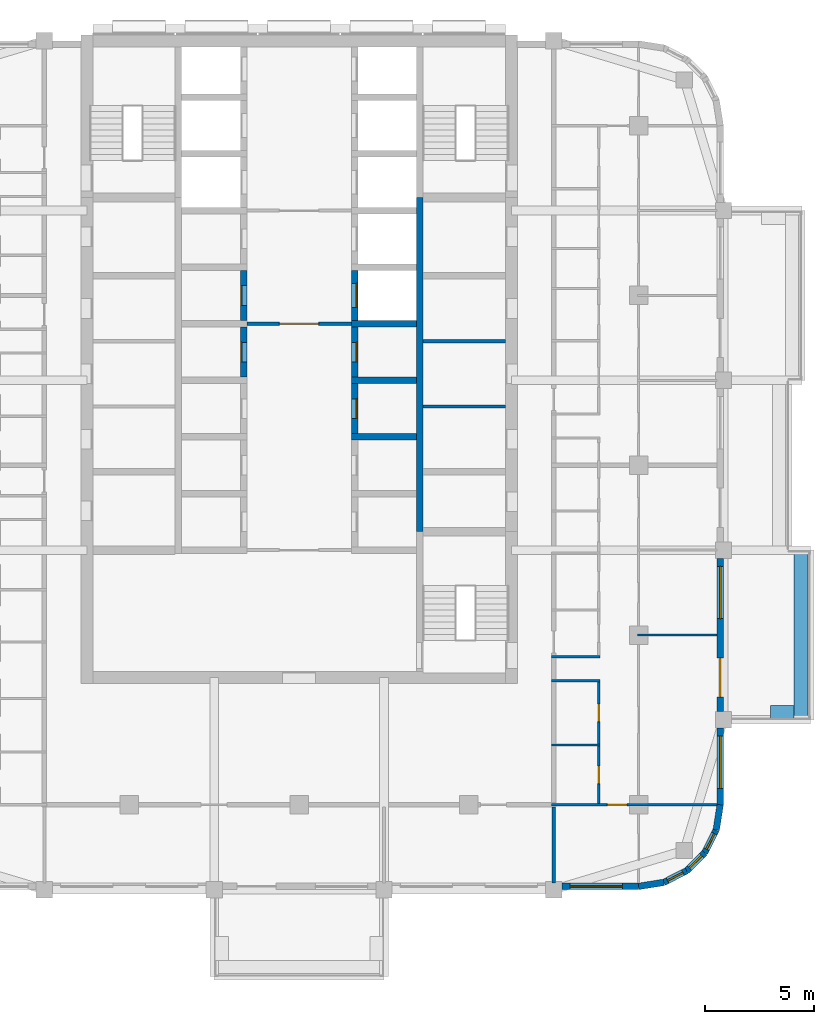
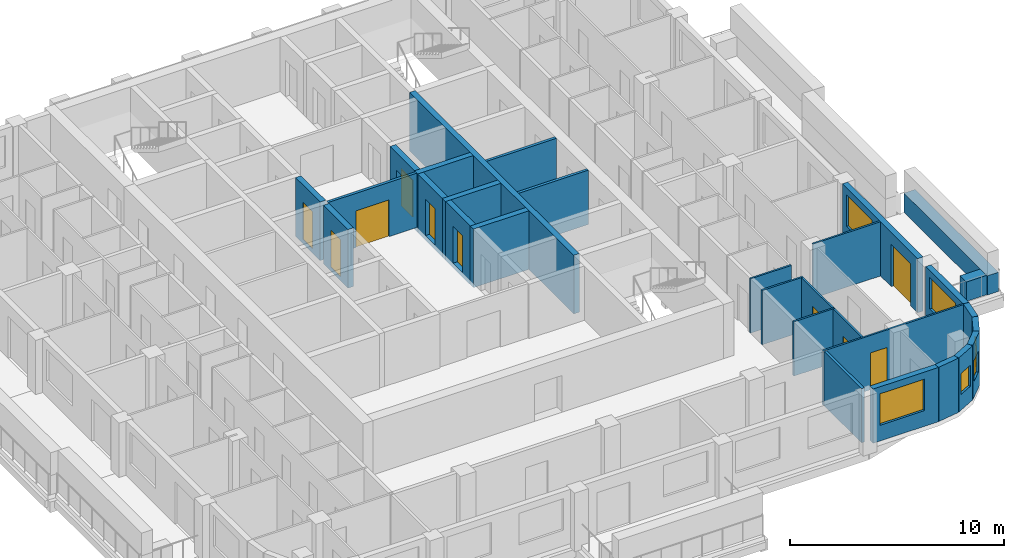
# One storey, part 5 of 13: 29 walls, 10 doors, 6 windows, 16 openings.
"""IFC4 building model written with IfcOpenShell, lengths in metres."""

import ifcopenshell
import ifcopenshell.guid

model = None  # the IFC model being written
_history = None  # IfcOwnerHistory: only IFC2X3 demands one
_inside = {}  # id of a spatial element -> (the spatial element, [elements in it])
_under = {}  # id of a project, library or spatial element -> (it, [spatial elements below it])
_declared = {}  # id of a project -> (the project, [libraries it declares])
_typed = {}  # id of a type object -> (the type object, [elements of that type])
_made_of = {}  # id of a material, layer set ... -> (it, [elements and type objects made of it])


def new_model(schema):
    """Start an empty IFC model of exactly this schema.

    Asked for "IFC4X3", IfcOpenShell would pick the latest addendum, in which some entities
    have other attributes; the version numbers below select the first issue.
    IFC2X3 requires an IfcOwnerHistory on every rooted entity: one is made here for all.
    """
    global model, _history
    if schema == "IFC4X3":
        model = ifcopenshell.file(schema_version=(4, 3, 0, 0))
    else:
        model = ifcopenshell.file(schema=schema)
    _inside.clear()
    _under.clear()
    _declared.clear()
    _typed.clear()
    _made_of.clear()
    _history = None
    if model.schema == "IFC2X3":
        org = make("IfcOrganization", Name="unknown")
        user = make(
            "IfcPersonAndOrganization",
            ThePerson=make("IfcPerson", FamilyName="unknown"),
            TheOrganization=org,
        )
        app = make(
            "IfcApplication",
            ApplicationDeveloper=org,
            Version="unknown",
            ApplicationFullName="unknown",
            ApplicationIdentifier="unknown",
        )
        _history = make(
            "IfcOwnerHistory",
            OwningUser=user,
            OwningApplication=app,
            ChangeAction="ADDED",
            CreationDate=0,
        )
    return model


def make(cls, **values):
    """One entity of the class cls with the attributes given. An attribute that is None is left unset."""
    return model.create_entity(
        cls, **{name: value for name, value in values.items() if value is not None}
    )


def rooted(cls, **values):
    """An entity with a GlobalId (a new one), such as an element, a storey or a relation."""
    return make(cls, GlobalId=ifcopenshell.guid.new(), OwnerHistory=_history, **values)


def si_unit(unit_type, name, prefix=None):
    """IfcSIUnit, for example si_unit("LENGTHUNIT", "METRE", prefix="MILLI")."""
    return make("IfcSIUnit", UnitType=unit_type, Prefix=prefix, Name=name)


def assignment(units):
    """IfcUnitAssignment: the units of a project."""
    return None if units is None else make("IfcUnitAssignment", Units=units)


def point(xyz):
    """IfcCartesianPoint."""
    return None if xyz is None else make("IfcCartesianPoint", Coordinates=xyz)


def direction(xyz):
    """IfcDirection."""
    return None if xyz is None else make("IfcDirection", DirectionRatios=xyz)


def frame(location, z_axis=None, x_axis=None):
    """IfcAxis2Placement3D, a coordinate frame: its origin and axes. An axis left out is left unset."""
    return make(
        "IfcAxis2Placement3D",
        Location=point(location),
        Axis=direction(z_axis),
        RefDirection=direction(x_axis),
    )


def frame_2d(location, x_axis=None):
    """IfcAxis2Placement2D, a coordinate frame in the plane: its origin and x axis."""
    return make(
        "IfcAxis2Placement2D", Location=point(location), RefDirection=direction(x_axis)
    )


def origin():
    """The frame at (0, 0, 0) with its axes left unset."""
    return frame((0.0, 0.0, 0.0))


def place(relative_to, where):
    """IfcLocalPlacement: puts the frame where relative to a parent placement (None: the world)."""
    return make(
        "IfcLocalPlacement", PlacementRelTo=relative_to, RelativePlacement=where
    )


def context(
    kind, dimensions, precision=None, world=None, true_north=None, identifier=None
):
    """IfcGeometricRepresentationContext, for example the 3D "Model" context."""
    return make(
        "IfcGeometricRepresentationContext",
        ContextIdentifier=identifier,
        ContextType=kind,
        CoordinateSpaceDimension=dimensions,
        Precision=precision,
        WorldCoordinateSystem=world,
        TrueNorth=true_north,
    )


def subcontext(parent, identifier, kind, view, scale=None):
    """IfcGeometricRepresentationSubContext, for example "Body" below "Model"."""
    return make(
        "IfcGeometricRepresentationSubContext",
        ContextIdentifier=identifier,
        ContextType=kind,
        ParentContext=parent,
        TargetScale=scale,
        TargetView=view,
    )


def project(units=None, contexts=None):
    """IfcProject with its units and contexts."""
    return rooted(
        "IfcProject",
        Name="project",
        RepresentationContexts=contexts,
        UnitsInContext=assignment(units),
    )


def spatial(cls, under=None, at=None, **own):
    """A site, building, storey or space (cls), placed at a placement, below another one or the project."""
    s = rooted(cls, ObjectPlacement=at, **own)
    if under is not None:
        _under.setdefault(under.id(), (under, []))[1].append(s)
    return s


def profile(cls, at=None, kind="AREA", **sizes):
    """A parametric profile (cls). Its sizes go by their IFC names, for example OverallWidth=200.0."""
    return make(cls, ProfileType=kind, Position=at, **sizes)


def rectangle(**sizes):
    """IfcRectangleProfileDef."""
    return profile("IfcRectangleProfileDef", **sizes)


def extrude(swept, where, along, depth):
    """IfcExtrudedAreaSolid: the profile swept, set in the frame where, extruded along a direction by depth."""
    return make(
        "IfcExtrudedAreaSolid",
        SweptArea=swept,
        Position=where,
        ExtrudedDirection=direction(along),
        Depth=depth,
    )


def shape(context_of_items, identifier, shape_type, items):
    """IfcShapeRepresentation: the items that make up one representation, for example the "Body"."""
    return make(
        "IfcShapeRepresentation",
        ContextOfItems=context_of_items,
        RepresentationIdentifier=identifier,
        RepresentationType=shape_type,
        Items=items,
    )


def material(Name=None, Category=None):
    """IfcMaterial."""
    return make("IfcMaterial", Name=Name, Category=Category)


def layer(
    of_material, thickness, ventilated=None, Name=None, Category=None, Priority=None
):
    """IfcMaterialLayer: one layer of a wall or slab, of a material (None: an air gap)."""
    return make(
        "IfcMaterialLayer",
        Material=of_material,
        LayerThickness=thickness,
        IsVentilated=ventilated,
        Name=Name,
        Category=Category,
        Priority=Priority,
    )


def layer_set(layers, Name=None):
    """IfcMaterialLayerSet."""
    return make("IfcMaterialLayerSet", MaterialLayers=layers, LayerSetName=Name)


def made_of(thing, what):
    """Note that an element or type object is made of a material, layer set ...; save() writes the relation."""
    if what is not None:
        _made_of.setdefault(what.id(), (what, []))[1].append(thing)
    return thing


def type_object(cls, material=None, **own):
    """A type object (cls), such as IfcWallType, which elements share."""
    return made_of(rooted(cls, **own), material)


def element(
    cls,
    number,
    at=None,
    inside=None,
    cuts=None,
    type_object=None,
    material=None,
    context=None,
    identifier="Body",
    shape_type=None,
    held_by="IfcProductDefinitionShape",
    body=None,
    shapes=None,
    **own,
):
    """One element of the class cls, such as IfcWall. Its Tag is "e" and its number.

    at: its placement. inside: the storey or other place that contains it. cuts: it is an
    opening in that element (IfcRelVoidsElement). A single representation is given by context,
    identifier, shape_type and body (its items); several are given by shapes. held_by: the class
    of the entity that holds the representations. save() writes the other relations.
    """
    e = rooted(cls, Tag="e%d" % number, ObjectPlacement=at, **own)
    if body is not None:
        shapes = [shape(context, identifier, shape_type, body)]
    if shapes is not None:
        e.Representation = make(held_by, Representations=shapes)
    if inside is not None:
        _inside.setdefault(inside.id(), (inside, []))[1].append(e)
    if cuts is not None:
        rooted(
            "IfcRelVoidsElement", RelatingBuildingElement=cuts, RelatedOpeningElement=e
        )
    if type_object is not None:
        _typed.setdefault(type_object.id(), (type_object, []))[1].append(e)
    return made_of(e, material)


def fill(opening, filler):
    """IfcRelFillsElement: the door or window that sits in an opening."""
    return rooted(
        "IfcRelFillsElement",
        RelatingOpeningElement=opening,
        RelatedBuildingElement=filler,
    )


def aggregate(whole, parts):
    """IfcRelAggregates: a whole, such as a stair, and the parts it consists of."""
    return rooted("IfcRelAggregates", RelatingObject=whole, RelatedObjects=parts)


def save(model, path):
    """Write the relations noted so far, then the file.

    IfcRelAggregates (storeys below a building ...), IfcRelContainedInSpatialStructure (elements
    in a storey), IfcRelDefinesByType, IfcRelAssociatesMaterial and IfcRelDeclares: one each for
    every whole, place, type object, material and project.
    """
    for whole, parts in _under.values():
        aggregate(whole, parts)
    for where, things in _inside.values():
        rooted(
            "IfcRelContainedInSpatialStructure",
            RelatedElements=things,
            RelatingStructure=where,
        )
    for kind, things in _typed.values():
        rooted("IfcRelDefinesByType", RelatedObjects=things, RelatingType=kind)
    for what, things in _made_of.values():
        rooted("IfcRelAssociatesMaterial", RelatedObjects=things, RelatingMaterial=what)
    for by, libraries in _declared.values():
        rooted("IfcRelDeclares", RelatingContext=by, RelatedDefinitions=libraries)
    model.write(path)


model = new_model("IFC4")

# Units and contexts
model_context = context("Model", 3, precision=1e-05, world=origin(), true_north=direction((0.0, 1.0)))
body_context = subcontext(model_context, "Body", "Model", "MODEL_VIEW")
ifc_project = project(units=[si_unit("LENGTHUNIT", "METRE"), si_unit("AREAUNIT", "SQUARE_METRE"), si_unit("VOLUMEUNIT", "CUBIC_METRE"), si_unit("PLANEANGLEUNIT", "RADIAN"), si_unit("MASSUNIT", "GRAM", prefix="KILO")], contexts=[model_context])

# Site, building, storey
site_placement = place(None, origin())
site = spatial("IfcSite", under=ifc_project, at=site_placement, CompositionType="ELEMENT")
building_placement = place(site_placement, origin())
building = spatial("IfcBuilding", under=site, at=building_placement, Name="Ludao Terraces", CompositionType="ELEMENT")
storey_placement = place(building_placement, frame((0.0, 0.0, 169.0)))
storey = spatial("IfcBuildingStorey", under=building, at=storey_placement, Name="L46", CompositionType="ELEMENT", Elevation=169.0)

# Walls
ifc_material_1 = material(Name="Concrete C40", Category="concrete")
ifc_layer_1 = layer(ifc_material_1, 0.60009765625)
ifc_layer_set_1 = layer_set([ifc_layer_1], Name="ENV Planter trough 600")
wall_type_1 = type_object("IfcWallType", Name="ENV Planter trough 600", PredefinedType="USERDEFINED", material=ifc_layer_set_1)
wall_1_placement = place(storey_placement, frame((108.050048828125, 53.300048828125, 0.0), z_axis=(0.0, 0.0, 1.0), x_axis=(0.0, 1.0, 0.0)))
element("IfcWall", 1, at=wall_1_placement, inside=storey, type_object=wall_type_1, Name="PL-L46-E1", ObjectType="PLANTER", PredefinedType="USERDEFINED", context=body_context, shape_type="SweptSolid", body=[
    extrude(rectangle(XDim=7.800048828125, YDim=0.60009765625, at=frame_2d((3.89990234375, 0.0))), origin(), (0.0, 0.0, 1.0), 1.10009765625),
])
wall_2_placement = place(storey_placement, frame((107.75, 53.64990234375, 0.0), z_axis=(0.0, 0.0, 1.0), x_axis=(-1.0, 0.0, 0.0)))
element("IfcWall", 2, at=wall_2_placement, inside=storey, type_object=wall_type_1, Name="PL-L46-E1-SA", ObjectType="PLANTER", PredefinedType="USERDEFINED", context=body_context, shape_type="SweptSolid", body=[
    extrude(rectangle(XDim=1.10009765625, YDim=0.60009765625, at=frame_2d((0.550048828125, 0.0))), origin(), (0.0, 0.0, 1.0), 1.10009765625),
])

# Wall, opening, window
ifc_material_2 = material(Name="Granite cladding", Category="masonry")
ifc_layer_2 = layer(ifc_material_2, 0.0400390625, Category="stone")
ifc_material_3 = material(Name="Mineral wool")
ifc_layer_3 = layer(ifc_material_3, 0.06005859375)
ifc_layer_4 = layer(ifc_material_1, 0.199951171875, Category="concrete")
ifc_layer_set_2 = layer_set([ifc_layer_2, ifc_layer_3, ifc_layer_4], Name="ENV Stone-clad wall 300")
wall_type_2 = type_object("IfcWallType", Name="ENV Stone-clad wall 300", PredefinedType="SOLIDWALL", material=ifc_layer_set_2)
wall_3_placement = place(storey_placement, frame((97.074951171875, 45.64990234375, 0.0), z_axis=(0.0, 0.0, 1.0), x_axis=(1.0, 0.0, 0.0)))
wall_3 = element("IfcWall", 3, at=wall_3_placement, inside=storey, type_object=wall_type_2, Name="EW-L46-S5", PredefinedType="SOLIDWALL", context=body_context, shape_type="SweptSolid", body=[
    extrude(rectangle(XDim=3.525146484375, YDim=0.300048828125, at=frame_2d((1.7626953125, 0.0))), origin(), (0.0, 0.0, 1.0), 3.10009765625),
])
opening_1_placement = place(wall_3_placement, frame((0.375, 0.0, 0.89990234375)))
opening_1 = element("IfcOpeningElement", 4, at=opening_1_placement, cuts=wall_3, Name="Opening W1", PredefinedType="OPENING", context=body_context, shape_type="SweptSolid", body=[
    extrude(rectangle(XDim=2.39990234375, YDim=1.800048828125, at=frame_2d((1.199951171875, 0.89990234375))), frame((0.0, 0.16015625, 0.0), z_axis=(0.0, -1.0, 0.0), x_axis=(1.0, 0.0, 0.0)), (0.0, 0.0, 1.0), 0.320068359375),
])
ifc_material_4 = material(Name="Clear glass in aluminium frame", Category="aluminium")
ifc_layer_5 = layer(ifc_material_4, 0.06005859375)
ifc_layer_set_3 = layer_set([ifc_layer_5], Name="ENV Window W1 2400x1800")
window_type_1 = type_object("IfcWindowType", Name="ENV Window W1 2400x1800", PartitioningType="DOUBLE_PANEL_VERTICAL", PredefinedType="WINDOW", material=ifc_layer_set_3)
window_1_placement = place(opening_1_placement, origin())
window_1 = element("IfcWindow", 5, at=window_1_placement, inside=storey, type_object=window_type_1, Name="W-L46-S5-1", OverallHeight=1.800048828125, OverallWidth=2.39990234375, PartitioningType="DOUBLE_PANEL_VERTICAL", PredefinedType="WINDOW", context=body_context, shape_type="SweptSolid", body=[
    extrude(rectangle(XDim=2.39990234375, YDim=1.800048828125, at=frame_2d((1.199951171875, 0.89990234375))), frame((0.0, 0.030029296875, 0.0), z_axis=(0.0, -1.0, 0.0), x_axis=(1.0, 0.0, 0.0)), (0.0, 0.0, 1.0), 0.06005859375),
])
fill(opening_1, window_1)

wall_4_placement = place(storey_placement, frame((104.35009765625, 49.39990234375, 0.0), z_axis=(0.0, 0.0, 1.0), x_axis=(0.0, 1.0, 0.0)))
wall_4 = element("IfcWall", 6, at=wall_4_placement, inside=storey, type_object=wall_type_2, Name="EW-L46-E1", PredefinedType="SOLIDWALL", context=body_context, shape_type="SweptSolid", body=[
    extrude(rectangle(XDim=3.525146484375, YDim=0.300048828125, at=frame_2d((1.7626953125, 0.0))), origin(), (0.0, 0.0, 1.0), 3.10009765625),
])
opening_2_placement = place(wall_4_placement, frame((0.75, 0.0, 0.89990234375)))
opening_2 = element("IfcOpeningElement", 7, at=opening_2_placement, cuts=wall_4, Name="Opening W1", PredefinedType="OPENING", context=body_context, shape_type="SweptSolid", body=[
    extrude(rectangle(XDim=2.39990234375, YDim=1.800048828125, at=frame_2d((1.199951171875, 0.89990234375))), frame((0.0, 0.16015625, 0.0), z_axis=(0.0, -1.0, 0.0), x_axis=(1.0, 0.0, 0.0)), (0.0, 0.0, 1.0), 0.320068359375),
])
window_2_placement = place(opening_2_placement, origin())
window_2 = element("IfcWindow", 8, at=window_2_placement, inside=storey, type_object=window_type_1, Name="W-L46-E1-1", OverallHeight=1.800048828125, OverallWidth=2.39990234375, PartitioningType="DOUBLE_PANEL_VERTICAL", PredefinedType="WINDOW", context=body_context, shape_type="SweptSolid", body=[
    extrude(rectangle(XDim=2.39990234375, YDim=1.800048828125, at=frame_2d((1.199951171875, 0.89990234375))), frame((0.0, 0.030029296875, 0.0), z_axis=(0.0, -1.0, 0.0), x_axis=(1.0, 0.0, 0.0)), (0.0, 0.0, 1.0), 0.06005859375),
])
fill(opening_2, window_2)

# Wall, openings, door, window
wall_5_placement = place(storey_placement, frame((104.35009765625, 53.675048828125, 0.0), z_axis=(0.0, 0.0, 1.0), x_axis=(0.0, 1.0, 0.0)))
wall_5 = element("IfcWall", 9, at=wall_5_placement, inside=storey, type_object=wall_type_2, Name="EW-L46-E2", PredefinedType="SOLIDWALL", context=body_context, shape_type="SweptSolid", body=[
    extrude(rectangle(XDim=7.050048828125, YDim=0.300048828125, at=frame_2d((3.52490234375, 0.0))), origin(), (0.0, 0.0, 1.0), 3.10009765625),
])
opening_3_placement = place(wall_5_placement, frame((0.675048828125, 0.0, 0.0)))
opening_3 = element("IfcOpeningElement", 10, at=opening_3_placement, cuts=wall_5, Name="Opening BD", PredefinedType="OPENING", context=body_context, shape_type="SweptSolid", body=[
    extrude(rectangle(XDim=1.800048828125, YDim=2.39990234375, at=frame_2d((0.89990234375, 1.199951171875))), frame((0.0, 0.16015625, 0.0), z_axis=(0.0, -1.0, 0.0), x_axis=(1.0, 0.0, 0.0)), (0.0, 0.0, 1.0), 0.320068359375),
])
opening_4_placement = place(wall_5_placement, frame((4.27490234375, 0.0, 0.89990234375)))
opening_4 = element("IfcOpeningElement", 11, at=opening_4_placement, cuts=wall_5, Name="Opening W1", PredefinedType="OPENING", context=body_context, shape_type="SweptSolid", body=[
    extrude(rectangle(XDim=2.39990234375, YDim=1.800048828125, at=frame_2d((1.199951171875, 0.89990234375))), frame((0.0, 0.16015625, 0.0), z_axis=(0.0, -1.0, 0.0), x_axis=(1.0, 0.0, 0.0)), (0.0, 0.0, 1.0), 0.320068359375),
])
ifc_material_5 = material(Name="Aluminium glazed door", Category="aluminium")
ifc_layer_6 = layer(ifc_material_5, 0.06005859375)
ifc_layer_set_4 = layer_set([ifc_layer_6], Name="ENV Balcony door BD 1800x2400")
door_type_1 = type_object("IfcDoorType", Name="ENV Balcony door BD 1800x2400", OperationType="DOUBLE_DOOR_SINGLE_SWING", PredefinedType="DOOR", material=ifc_layer_set_4)
door_1_placement = place(opening_3_placement, origin())
door_1 = element("IfcDoor", 12, at=door_1_placement, inside=storey, type_object=door_type_1, Name="BD-L46-E2-1", OperationType="DOUBLE_DOOR_SINGLE_SWING", OverallHeight=2.39990234375, OverallWidth=1.800048828125, PredefinedType="DOOR", context=body_context, shape_type="SweptSolid", body=[
    extrude(rectangle(XDim=1.800048828125, YDim=2.39990234375, at=frame_2d((0.89990234375, 1.199951171875))), frame((0.0, 0.02490234375, 0.0), z_axis=(0.0, -1.0, 0.0), x_axis=(1.0, 0.0, 0.0)), (0.0, 0.0, 1.0), 0.050048828125),
])
fill(opening_3, door_1)
window_3_placement = place(opening_4_placement, origin())
window_3 = element("IfcWindow", 13, at=window_3_placement, inside=storey, type_object=window_type_1, Name="W-L46-E2-2", OverallHeight=1.800048828125, OverallWidth=2.39990234375, PartitioningType="DOUBLE_PANEL_VERTICAL", PredefinedType="WINDOW", context=body_context, shape_type="SweptSolid", body=[
    extrude(rectangle(XDim=2.39990234375, YDim=1.800048828125, at=frame_2d((1.199951171875, 0.89990234375))), frame((0.0, 0.030029296875, 0.0), z_axis=(0.0, -1.0, 0.0), x_axis=(1.0, 0.0, 0.0)), (0.0, 0.0, 1.0), 0.06005859375),
])
fill(opening_4, window_3)

# Wall
wall_6_placement = place(storey_placement, frame((100.60009765625, 45.64990234375, 0.0), z_axis=(0.0, 0.0, 1.0), x_axis=(0.987678452879, 0.156496880861, 0.0)))
element("IfcWall", 14, at=wall_6_placement, inside=storey, type_object=wall_type_2, Name="EW-L46-SE1", PredefinedType="SOLIDWALL", context=body_context, shape_type="SweptSolid", body=[
    extrude(rectangle(XDim=1.173095703125, YDim=0.300048828125, at=frame_2d((0.58642578125, 0.0))), origin(), (0.0, 0.0, 1.0), 3.10009765625),
])

# Wall, opening, window
wall_7_placement = place(storey_placement, frame((101.7587890625, 45.83349609375, 0.0), z_axis=(0.0, 0.0, 1.0), x_axis=(0.890988677504, 0.454025524128, 0.0)))
wall_7 = element("IfcWall", 15, at=wall_7_placement, inside=storey, type_object=wall_type_2, Name="EW-L46-SE2", PredefinedType="SOLIDWALL", context=body_context, shape_type="SweptSolid", body=[
    extrude(rectangle(XDim=1.17333984375, YDim=0.300048828125, at=frame_2d((0.586669921875, 0.0))), origin(), (0.0, 0.0, 1.0), 3.10009765625),
])
opening_5_placement = place(wall_7_placement, frame((0.1865234375, 0.0, 0.89990234375)))
opening_5 = element("IfcOpeningElement", 16, at=opening_5_placement, cuts=wall_7, Name="Opening W3", PredefinedType="OPENING", context=body_context, shape_type="SweptSolid", body=[
    extrude(rectangle(XDim=0.800048828125, YDim=1.199951171875, at=frame_2d((0.39990234375, 0.60009765625))), frame((0.0, 0.16015625, 0.0), z_axis=(0.0, -1.0, 0.0), x_axis=(1.0, 0.0, 0.0)), (0.0, 0.0, 1.0), 0.320068359375),
])
ifc_layer_7 = layer(ifc_material_4, 0.06005859375)
ifc_layer_set_5 = layer_set([ifc_layer_7], Name="ENV Window W3 800x1200")
window_type_2 = type_object("IfcWindowType", Name="ENV Window W3 800x1200", PartitioningType="SINGLE_PANEL", PredefinedType="WINDOW", material=ifc_layer_set_5)
window_4_placement = place(opening_5_placement, origin())
window_4 = element("IfcWindow", 17, at=window_4_placement, inside=storey, type_object=window_type_2, Name="W-L46-SE2", OverallHeight=1.199951171875, OverallWidth=0.800048828125, PartitioningType="SINGLE_PANEL", PredefinedType="WINDOW", context=body_context, shape_type="SweptSolid", body=[
    extrude(rectangle(XDim=0.800048828125, YDim=1.199951171875, at=frame_2d((0.39990234375, 0.60009765625))), frame((0.0, 0.030029296875, 0.0), z_axis=(0.0, -1.0, 0.0), x_axis=(1.0, 0.0, 0.0)), (0.0, 0.0, 1.0), 0.06005859375),
])
fill(opening_5, window_4)

wall_8_placement = place(storey_placement, frame((102.80419921875, 46.3662109375, 0.0), z_axis=(0.0, 0.0, 1.0), x_axis=(0.707106781187, 0.707106781187, 0.0)))
wall_8 = element("IfcWall", 18, at=wall_8_placement, inside=storey, type_object=wall_type_2, Name="EW-L46-SE3", PredefinedType="SOLIDWALL", context=body_context, shape_type="SweptSolid", body=[
    extrude(rectangle(XDim=1.173095703125, YDim=0.300048828125, at=frame_2d((0.58642578125, 0.0))), origin(), (0.0, 0.0, 1.0), 3.10009765625),
])
opening_6_placement = place(wall_8_placement, frame((0.1865234375, 0.0, 0.89990234375)))
opening_6 = element("IfcOpeningElement", 19, at=opening_6_placement, cuts=wall_8, Name="Opening W3", PredefinedType="OPENING", context=body_context, shape_type="SweptSolid", body=[
    extrude(rectangle(XDim=0.800048828125, YDim=1.199951171875, at=frame_2d((0.39990234375, 0.60009765625))), frame((0.0, 0.16015625, 0.0), z_axis=(0.0, -1.0, 0.0), x_axis=(1.0, 0.0, 0.0)), (0.0, 0.0, 1.0), 0.320068359375),
])
window_5_placement = place(opening_6_placement, origin())
window_5 = element("IfcWindow", 20, at=window_5_placement, inside=storey, type_object=window_type_2, Name="W-L46-SE3", OverallHeight=1.199951171875, OverallWidth=0.800048828125, PartitioningType="SINGLE_PANEL", PredefinedType="WINDOW", context=body_context, shape_type="SweptSolid", body=[
    extrude(rectangle(XDim=0.800048828125, YDim=1.199951171875, at=frame_2d((0.39990234375, 0.60009765625))), frame((0.0, 0.030029296875, 0.0), z_axis=(0.0, -1.0, 0.0), x_axis=(1.0, 0.0, 0.0)), (0.0, 0.0, 1.0), 0.06005859375),
])
fill(opening_6, window_5)

wall_9_placement = place(storey_placement, frame((103.6337890625, 47.19580078125, 0.0), z_axis=(0.0, 0.0, 1.0), x_axis=(0.454025524128, 0.890988677504, 0.0)))
wall_9 = element("IfcWall", 21, at=wall_9_placement, inside=storey, type_object=wall_type_2, Name="EW-L46-SE4", PredefinedType="SOLIDWALL", context=body_context, shape_type="SweptSolid", body=[
    extrude(rectangle(XDim=1.17333984375, YDim=0.300048828125, at=frame_2d((0.586669921875, 0.0))), origin(), (0.0, 0.0, 1.0), 3.10009765625),
])
opening_7_placement = place(wall_9_placement, frame((0.1865234375, 0.0, 0.89990234375)))
opening_7 = element("IfcOpeningElement", 22, at=opening_7_placement, cuts=wall_9, Name="Opening W3", PredefinedType="OPENING", context=body_context, shape_type="SweptSolid", body=[
    extrude(rectangle(XDim=0.800048828125, YDim=1.199951171875, at=frame_2d((0.39990234375, 0.60009765625))), frame((0.0, 0.16015625, 0.0), z_axis=(0.0, -1.0, 0.0), x_axis=(1.0, 0.0, 0.0)), (0.0, 0.0, 1.0), 0.320068359375),
])
window_6_placement = place(opening_7_placement, origin())
window_6 = element("IfcWindow", 23, at=window_6_placement, inside=storey, type_object=window_type_2, Name="W-L46-SE4", OverallHeight=1.199951171875, OverallWidth=0.800048828125, PartitioningType="SINGLE_PANEL", PredefinedType="WINDOW", context=body_context, shape_type="SweptSolid", body=[
    extrude(rectangle(XDim=0.800048828125, YDim=1.199951171875, at=frame_2d((0.39990234375, 0.60009765625))), frame((0.0, 0.030029296875, 0.0), z_axis=(0.0, -1.0, 0.0), x_axis=(1.0, 0.0, 0.0)), (0.0, 0.0, 1.0), 0.06005859375),
])
fill(opening_7, window_6)

# Walls
wall_10_placement = place(storey_placement, frame((104.16650390625, 48.2412109375, 0.0), z_axis=(0.0, 0.0, 1.0), x_axis=(0.156496880861, 0.987678452879, 0.0)))
element("IfcWall", 24, at=wall_10_placement, inside=storey, type_object=wall_type_2, Name="EW-L46-SE5", PredefinedType="SOLIDWALL", context=body_context, shape_type="SweptSolid", body=[
    extrude(rectangle(XDim=1.173095703125, YDim=0.300048828125, at=frame_2d((0.58642578125, 0.0))), origin(), (0.0, 0.0, 1.0), 3.10009765625),
])
ifc_material_6 = material(Name="Fire-rated gypsum plasterboard", Category="gypsum")
ifc_layer_8 = layer(ifc_material_6, 0.012451171875, Category="gypsum")
ifc_layer_9 = layer(ifc_material_3, 0.10009765625, Name="insulation")
ifc_material_7 = material(Name="Steel Q235", Category="steel")
ifc_layer_10 = layer(ifc_material_7, 0.02490234375, Name="stud")
ifc_layer_11 = layer(ifc_material_6, 0.012451171875, Category="gypsum")
ifc_layer_set_6 = layer_set([ifc_layer_8, ifc_layer_9, ifc_layer_10, ifc_layer_11], Name="INT Core partition 150")
wall_type_3 = type_object("IfcWallType", Name="INT Core partition 150", PredefinedType="PARTITIONING", material=ifc_layer_set_6)
for number, where, z_axis, x_axis, name in (
    (25, (90.7001953125, 67.699951171875, 0.0), (0.0, 0.0, 1.0), (1.0, 0.0, 0.0), "PW-L46-PW027"),
    (26, (90.7001953125, 70.699951171875, 0.0), (0.0, 0.0, 1.0), (1.0, 0.0, 0.0), "PW-L46-PW032"),
):
    element("IfcWall", number, at=place(storey_placement, frame(where, z_axis=z_axis, x_axis=x_axis)), inside=storey, type_object=wall_type_3, Name=name, PredefinedType="PARTITIONING", context=body_context, shape_type="SweptSolid", body=[
        extrude(rectangle(XDim=3.77490234375, YDim=0.14990234375, at=frame_2d((1.887451171875, 0.0))), origin(), (0.0, 0.0, 1.0), 3.10009765625),
    ])

# Wall, opening, door
wall_11_placement = place(storey_placement, frame((82.60009765625, 71.5, 0.0), z_axis=(0.0, 0.0, 1.0), x_axis=(1.0, 0.0, 0.0)))
wall_11 = element("IfcWall", 27, at=wall_11_placement, inside=storey, type_object=wall_type_3, Name="PW-L46-PW035", PredefinedType="PARTITIONING", context=body_context, shape_type="SweptSolid", body=[
    extrude(rectangle(XDim=4.800048828125, YDim=0.14990234375, at=frame_2d((2.39990234375, 0.0))), origin(), (0.0, 0.0, 1.0), 3.10009765625),
])
opening_8_placement = place(wall_11_placement, frame((1.5, 0.0, 0.0)))
opening_8 = element("IfcOpeningElement", 28, at=opening_8_placement, cuts=wall_11, Name="Opening R16-055", PredefinedType="OPENING", context=body_context, shape_type="SweptSolid", body=[
    extrude(rectangle(XDim=1.800048828125, YDim=2.10009765625, at=frame_2d((0.89990234375, 1.050048828125))), frame((0.0, 0.0849609375, 0.0), z_axis=(0.0, -1.0, 0.0), x_axis=(1.0, 0.0, 0.0)), (0.0, 0.0, 1.0), 0.169921875),
])
door_type_2 = type_object("IfcDoorType", Name="INT Fire lobby door 1800", OperationType="DOUBLE_DOOR_SINGLE_SWING", PredefinedType="DOOR", material=ifc_material_7)
door_2_placement = place(opening_8_placement, origin())
door_2 = element("IfcDoor", 29, at=door_2_placement, inside=storey, type_object=door_type_2, Name="DOOR 055", OperationType="DOUBLE_DOOR_SINGLE_SWING", OverallHeight=2.10009765625, OverallWidth=1.800048828125, PredefinedType="DOOR", context=body_context, shape_type="SweptSolid", body=[
    extrude(rectangle(XDim=1.800048828125, YDim=2.10009765625, at=frame_2d((0.89990234375, 1.050048828125))), frame((0.0, 0.02490234375, 0.0), z_axis=(0.0, -1.0, 0.0), x_axis=(1.0, 0.0, 0.0)), (0.0, 0.0, 1.0), 0.050048828125),
])
fill(opening_8, door_2)

ifc_material_8 = material(Name="Gypsum plasterboard", Category="gypsum")
ifc_layer_12 = layer(ifc_material_8, 0.012451171875, Category="gypsum")
ifc_layer_13 = layer(ifc_material_3, 0.06005859375, Name="insulation")
ifc_layer_14 = layer(ifc_material_7, 0.014892578125, Name="stud")
ifc_layer_15 = layer(ifc_material_8, 0.012451171875, Category="gypsum")
ifc_layer_set_7 = layer_set([ifc_layer_12, ifc_layer_13, ifc_layer_14, ifc_layer_15], Name="INT Partition 100")
wall_type_4 = type_object("IfcWallType", Name="INT Partition 100", PredefinedType="PARTITIONING", material=ifc_layer_set_7)
wall_12_placement = place(storey_placement, frame((96.60009765625, 49.39990234375, 0.0), z_axis=(0.0, 0.0, 1.0), x_axis=(1.0, 0.0, 0.0)))
wall_12 = element("IfcWall", 30, at=wall_12_placement, inside=storey, type_object=wall_type_4, Name="PW-L46-PW002", PredefinedType="PARTITIONING", context=body_context, shape_type="SweptSolid", body=[
    extrude(rectangle(XDim=7.60009765625, YDim=0.10009765625, at=frame_2d((3.800048828125, 0.0))), origin(), (0.0, 0.0, 1.0), 3.10009765625),
])
opening_9_placement = place(wall_12_placement, frame((2.56005859375, 0.0, 0.0)))
opening_9 = element("IfcOpeningElement", 31, at=opening_9_placement, cuts=wall_12, Name="Opening R16-006", PredefinedType="OPENING", context=body_context, shape_type="SweptSolid", body=[
    extrude(rectangle(XDim=0.89990234375, YDim=2.10009765625, at=frame_2d((0.449951171875, 1.050048828125))), frame((0.0, 0.06005859375, 0.0), z_axis=(0.0, -1.0, 0.0), x_axis=(1.0, 0.0, 0.0)), (0.0, 0.0, 1.0), 0.1201171875),
])
ifc_material_9 = material(Name="Timber door leaf", Category="wood")
door_type_3 = type_object("IfcDoorType", Name="INT Room door 900", OperationType="SINGLE_SWING_LEFT", PredefinedType="DOOR", material=ifc_material_9)
door_3_placement = place(opening_9_placement, origin())
door_3 = element("IfcDoor", 32, at=door_3_placement, inside=storey, type_object=door_type_3, Name="DOOR 006", OperationType="SINGLE_SWING_LEFT", OverallHeight=2.10009765625, OverallWidth=0.89990234375, PredefinedType="DOOR", context=body_context, shape_type="SweptSolid", body=[
    extrude(rectangle(XDim=0.89990234375, YDim=2.10009765625, at=frame_2d((0.449951171875, 1.050048828125))), frame((0.0, 0.02490234375, 0.0), z_axis=(0.0, -1.0, 0.0), x_axis=(1.0, 0.0, 0.0)), (0.0, 0.0, 1.0), 0.050048828125),
])
fill(opening_9, door_3)

# Walls
for number, where, z_axis, x_axis, name in (
    (33, (96.60009765625, 52.14990234375, 0.0), (0.0, 0.0, 1.0), (1.0, 0.0, 0.0), "PW-L46-PW004"),
    (34, (96.60009765625, 55.10009765625, 0.0), (0.0, 0.0, 1.0), (1.0, 0.0, 0.0), "PW-L46-PW007"),
    (35, (96.60009765625, 56.199951171875, 0.0), (0.0, 0.0, 1.0), (1.0, 0.0, 0.0), "PW-L46-PW008"),
):
    element("IfcWall", number, at=place(storey_placement, frame(where, z_axis=z_axis, x_axis=x_axis)), inside=storey, type_object=wall_type_4, Name=name, PredefinedType="PARTITIONING", context=body_context, shape_type="SweptSolid", body=[
        extrude(rectangle(XDim=2.219970703125, YDim=0.10009765625, at=frame_2d((1.10986328125, 0.0))), origin(), (0.0, 0.0, 1.0), 3.10009765625),
    ])
wall_13_placement = place(storey_placement, frame((100.550048828125, 57.199951171875, 0.0), z_axis=(0.0, 0.0, 1.0), x_axis=(1.0, 0.0, 0.0)))
element("IfcWall", 36, at=wall_13_placement, inside=storey, type_object=wall_type_4, Name="PW-L46-PW011", PredefinedType="PARTITIONING", context=body_context, shape_type="SweptSolid", body=[
    extrude(rectangle(XDim=3.650146484375, YDim=0.10009765625, at=frame_2d((1.8251953125, 0.0))), origin(), (0.0, 0.0, 1.0), 3.10009765625),
])

# Wall, openings, doors
wall_14_placement = place(storey_placement, frame((98.77001953125, 49.4501953125, 0.0), z_axis=(0.0, 0.0, 1.0), x_axis=(0.0, 1.0, 0.0)))
wall_14 = element("IfcWall", 37, at=wall_14_placement, inside=storey, type_object=wall_type_4, Name="PW-L46-PW059", PredefinedType="PARTITIONING", context=body_context, shape_type="SweptSolid", body=[
    extrude(rectangle(XDim=5.599853515625, YDim=0.10009765625, at=frame_2d((2.7998046875, 0.0))), origin(), (0.0, 0.0, 1.0), 3.10009765625),
])
opening_10_placement = place(wall_14_placement, frame((0.9248046875, 0.0, 0.0)))
opening_10 = element("IfcOpeningElement", 38, at=opening_10_placement, cuts=wall_14, Name="Opening R16-008", PredefinedType="OPENING", context=body_context, shape_type="SweptSolid", body=[
    extrude(rectangle(XDim=0.800048828125, YDim=2.10009765625, at=frame_2d((0.39990234375, 1.050048828125))), frame((0.0, 0.06005859375, 0.0), z_axis=(0.0, -1.0, 0.0), x_axis=(1.0, 0.0, 0.0)), (0.0, 0.0, 1.0), 0.1201171875),
])
opening_11_placement = place(wall_14_placement, frame((3.77490234375, 0.0, 0.0)))
opening_11 = element("IfcOpeningElement", 39, at=opening_11_placement, cuts=wall_14, Name="Opening R16-012", PredefinedType="OPENING", context=body_context, shape_type="SweptSolid", body=[
    extrude(rectangle(XDim=0.800048828125, YDim=2.10009765625, at=frame_2d((0.39990234375, 1.050048828125))), frame((0.0, 0.06005859375, 0.0), z_axis=(0.0, -1.0, 0.0), x_axis=(1.0, 0.0, 0.0)), (0.0, 0.0, 1.0), 0.1201171875),
])
door_type_4 = type_object("IfcDoorType", Name="INT Store door 800", OperationType="SINGLE_SWING_LEFT", PredefinedType="DOOR", material=ifc_material_9)
door_4_placement = place(opening_10_placement, origin())
door_4 = element("IfcDoor", 40, at=door_4_placement, inside=storey, type_object=door_type_4, Name="DOOR 008", OperationType="SINGLE_SWING_LEFT", OverallHeight=2.10009765625, OverallWidth=0.800048828125, PredefinedType="DOOR", context=body_context, shape_type="SweptSolid", body=[
    extrude(rectangle(XDim=0.800048828125, YDim=2.10009765625, at=frame_2d((0.39990234375, 1.050048828125))), frame((0.0, 0.02490234375, 0.0), z_axis=(0.0, -1.0, 0.0), x_axis=(1.0, 0.0, 0.0)), (0.0, 0.0, 1.0), 0.050048828125),
])
fill(opening_10, door_4)
door_5_placement = place(opening_11_placement, origin())
door_5 = element("IfcDoor", 41, at=door_5_placement, inside=storey, type_object=door_type_4, Name="DOOR 012", OperationType="SINGLE_SWING_LEFT", OverallHeight=2.10009765625, OverallWidth=0.800048828125, PredefinedType="DOOR", context=body_context, shape_type="SweptSolid", body=[
    extrude(rectangle(XDim=0.800048828125, YDim=2.10009765625, at=frame_2d((0.39990234375, 1.050048828125))), frame((0.0, 0.02490234375, 0.0), z_axis=(0.0, -1.0, 0.0), x_axis=(1.0, 0.0, 0.0)), (0.0, 0.0, 1.0), 0.050048828125),
])
fill(opening_11, door_5)

# Walls
ifc_material_10 = material(Name="Autoclaved aerated concrete block B06 A3.5", Category="concrete")
ifc_layer_16 = layer(ifc_material_10, 0.14990234375)
ifc_layer_set_8 = layer_set([ifc_layer_16], Name="INT Party wall 150")
wall_type_5 = type_object("IfcWallType", Name="INT Party wall 150", PredefinedType="PARTITIONING", material=ifc_layer_set_8)
wall_15_placement = place(storey_placement, frame((96.699951171875, 45.800048828125, 0.0), z_axis=(0.0, 0.0, 1.0), x_axis=(0.0, 1.0, 0.0)))
element("IfcWall", 42, at=wall_15_placement, inside=storey, type_object=wall_type_5, Name="PW-L46-PW057", PredefinedType="PARTITIONING", context=body_context, shape_type="SweptSolid", body=[
    extrude(rectangle(XDim=3.5, YDim=0.14990234375, at=frame_2d((1.75, 0.0))), origin(), (0.0, 0.0, 1.0), 3.10009765625),
])
ifc_material_11 = material(Name="Concrete C55", Category="concrete")
ifc_layer_17 = layer(ifc_material_11, 0.300048828125)
ifc_layer_set_9 = layer_set([ifc_layer_17], Name="Shaft wall 300 C55")
wall_type_6 = type_object("IfcWallType", Name="Shaft wall 300 C55", PredefinedType="SOLIDWALL", material=ifc_layer_set_9)
wall_16_placement = place(storey_placement, frame((90.550048828125, 61.949951171875, -0.25), z_axis=(0.0, 0.0, 1.0), x_axis=(0.0, 1.0, 0.0)))
element("IfcWall", 43, at=wall_16_placement, inside=storey, type_object=wall_type_6, Name="Core wall L46 back-E", PredefinedType="SOLIDWALL", context=body_context, shape_type="SweptSolid", body=[
    extrude(rectangle(XDim=15.35009765625, YDim=0.300048828125, at=frame_2d((7.675048828125, 0.0))), origin(), (0.0, 0.0, 1.0), 3.35009765625),
])

# Wall, opening, door
wall_17_placement = place(storey_placement, frame((82.449951171875, 69.050048828125, -0.25), z_axis=(0.0, 0.0, 1.0), x_axis=(0.0, 1.0, 0.0)))
wall_17 = element("IfcWall", 44, at=wall_17_placement, inside=storey, type_object=wall_type_6, Name="Core wall L46 front-W4", PredefinedType="SOLIDWALL", context=body_context, shape_type="SweptSolid", body=[
    extrude(rectangle(XDim=2.300048828125, YDim=0.300048828125, at=frame_2d((1.14990234375, 0.0))), origin(), (0.0, 0.0, 1.0), 3.35009765625),
])
opening_12_placement = place(wall_17_placement, frame((0.699951171875, 0.0, 0.25)))
opening_12 = element("IfcOpeningElement", 45, at=opening_12_placement, cuts=wall_17, Name="Opening R16-051", PredefinedType="OPENING", context=body_context, shape_type="SweptSolid", body=[
    extrude(rectangle(XDim=0.89990234375, YDim=2.10009765625, at=frame_2d((0.449951171875, 1.050048828125))), frame((0.0, 0.16015625, 0.0), z_axis=(0.0, -1.0, 0.0), x_axis=(1.0, 0.0, 0.0)), (0.0, 0.0, 1.0), 0.320068359375),
])
door_6_placement = place(opening_12_placement, origin())
door_6 = element("IfcDoor", 46, at=door_6_placement, inside=storey, type_object=door_type_3, Name="DOOR 051", OperationType="SINGLE_SWING_LEFT", OverallHeight=2.10009765625, OverallWidth=0.89990234375, PredefinedType="DOOR", context=body_context, shape_type="SweptSolid", body=[
    extrude(rectangle(XDim=0.89990234375, YDim=2.10009765625, at=frame_2d((0.449951171875, 1.050048828125))), frame((0.0, 0.13525390625, 0.0), z_axis=(0.0, -1.0, 0.0), x_axis=(1.0, 0.0, 0.0)), (0.0, 0.0, 1.0), 0.050048828125),
])
fill(opening_12, door_6)

wall_18_placement = place(storey_placement, frame((82.449951171875, 71.64990234375, -0.25), z_axis=(0.0, 0.0, 1.0), x_axis=(0.0, 1.0, 0.0)))
wall_18 = element("IfcWall", 47, at=wall_18_placement, inside=storey, type_object=wall_type_6, Name="Core wall L46 front-W5", PredefinedType="SOLIDWALL", context=body_context, shape_type="SweptSolid", body=[
    extrude(rectangle(XDim=2.300048828125, YDim=0.300048828125, at=frame_2d((1.14990234375, 0.0))), origin(), (0.0, 0.0, 1.0), 3.35009765625),
])
opening_13_placement = place(wall_18_placement, frame((0.699951171875, 0.0, 0.25)))
opening_13 = element("IfcOpeningElement", 48, at=opening_13_placement, cuts=wall_18, Name="Opening R16-061", PredefinedType="OPENING", context=body_context, shape_type="SweptSolid", body=[
    extrude(rectangle(XDim=0.89990234375, YDim=2.10009765625, at=frame_2d((0.449951171875, 1.050048828125))), frame((0.0, 0.16015625, 0.0), z_axis=(0.0, -1.0, 0.0), x_axis=(1.0, 0.0, 0.0)), (0.0, 0.0, 1.0), 0.320068359375),
])
door_7_placement = place(opening_13_placement, origin())
door_7 = element("IfcDoor", 49, at=door_7_placement, inside=storey, type_object=door_type_3, Name="DOOR 061", OperationType="SINGLE_SWING_LEFT", OverallHeight=2.10009765625, OverallWidth=0.89990234375, PredefinedType="DOOR", context=body_context, shape_type="SweptSolid", body=[
    extrude(rectangle(XDim=0.89990234375, YDim=2.10009765625, at=frame_2d((0.449951171875, 1.050048828125))), frame((0.0, 0.13525390625, 0.0), z_axis=(0.0, -1.0, 0.0), x_axis=(1.0, 0.0, 0.0)), (0.0, 0.0, 1.0), 0.050048828125),
])
fill(opening_13, door_7)

# Wall
wall_19_placement = place(storey_placement, frame((87.39990234375, 66.300048828125, -0.25), z_axis=(0.0, 0.0, 1.0), x_axis=(1.0, 0.0, 0.0)))
element("IfcWall", 50, at=wall_19_placement, inside=storey, type_object=wall_type_6, Name="Core wall L46 div-E3", PredefinedType="SOLIDWALL", context=body_context, shape_type="SweptSolid", body=[
    extrude(rectangle(XDim=3.0, YDim=0.300048828125, at=frame_2d((1.5, 0.0))), origin(), (0.0, 0.0, 1.0), 3.35009765625),
])

# Wall, opening, door
wall_20_placement = place(storey_placement, frame((87.550048828125, 66.449951171875, -0.25), z_axis=(0.0, 0.0, 1.0), x_axis=(0.0, 1.0, 0.0)))
wall_20 = element("IfcWall", 51, at=wall_20_placement, inside=storey, type_object=wall_type_6, Name="Core wall L46 front-E3", PredefinedType="SOLIDWALL", context=body_context, shape_type="SweptSolid", body=[
    extrude(rectangle(XDim=2.300048828125, YDim=0.300048828125, at=frame_2d((1.14990234375, 0.0))), origin(), (0.0, 0.0, 1.0), 3.35009765625),
])
opening_14_placement = place(wall_20_placement, frame((0.699951171875, 0.0, 0.25)))
opening_14 = element("IfcOpeningElement", 52, at=opening_14_placement, cuts=wall_20, Name="Opening R16-045", PredefinedType="OPENING", context=body_context, shape_type="SweptSolid", body=[
    extrude(rectangle(XDim=0.89990234375, YDim=2.10009765625, at=frame_2d((0.449951171875, 1.050048828125))), frame((0.0, 0.16015625, 0.0), z_axis=(0.0, -1.0, 0.0), x_axis=(1.0, 0.0, 0.0)), (0.0, 0.0, 1.0), 0.320068359375),
])
door_8_placement = place(opening_14_placement, origin())
door_8 = element("IfcDoor", 53, at=door_8_placement, inside=storey, type_object=door_type_3, Name="DOOR 045", OperationType="SINGLE_SWING_LEFT", OverallHeight=2.10009765625, OverallWidth=0.89990234375, PredefinedType="DOOR", context=body_context, shape_type="SweptSolid", body=[
    extrude(rectangle(XDim=0.89990234375, YDim=2.10009765625, at=frame_2d((0.449951171875, 1.050048828125))), frame((0.0, -0.0849609375, 0.0), z_axis=(0.0, -1.0, 0.0), x_axis=(1.0, 0.0, 0.0)), (0.0, 0.0, 1.0), 0.050048828125),
])
fill(opening_14, door_8)

# Wall
wall_21_placement = place(storey_placement, frame((87.39990234375, 68.89990234375, -0.25), z_axis=(0.0, 0.0, 1.0), x_axis=(1.0, 0.0, 0.0)))
element("IfcWall", 54, at=wall_21_placement, inside=storey, type_object=wall_type_6, Name="Core wall L46 div-E4", PredefinedType="SOLIDWALL", context=body_context, shape_type="SweptSolid", body=[
    extrude(rectangle(XDim=3.0, YDim=0.300048828125, at=frame_2d((1.5, 0.0))), origin(), (0.0, 0.0, 1.0), 3.35009765625),
])

# Wall, opening, door
wall_22_placement = place(storey_placement, frame((87.550048828125, 69.050048828125, -0.25), z_axis=(0.0, 0.0, 1.0), x_axis=(0.0, 1.0, 0.0)))
wall_22 = element("IfcWall", 55, at=wall_22_placement, inside=storey, type_object=wall_type_6, Name="Core wall L46 front-E4", PredefinedType="SOLIDWALL", context=body_context, shape_type="SweptSolid", body=[
    extrude(rectangle(XDim=2.300048828125, YDim=0.300048828125, at=frame_2d((1.14990234375, 0.0))), origin(), (0.0, 0.0, 1.0), 3.35009765625),
])
opening_15_placement = place(wall_22_placement, frame((0.699951171875, 0.0, 0.25)))
opening_15 = element("IfcOpeningElement", 56, at=opening_15_placement, cuts=wall_22, Name="Opening R16-052", PredefinedType="OPENING", context=body_context, shape_type="SweptSolid", body=[
    extrude(rectangle(XDim=0.89990234375, YDim=2.10009765625, at=frame_2d((0.449951171875, 1.050048828125))), frame((0.0, 0.16015625, 0.0), z_axis=(0.0, -1.0, 0.0), x_axis=(1.0, 0.0, 0.0)), (0.0, 0.0, 1.0), 0.320068359375),
])
door_9_placement = place(opening_15_placement, origin())
door_9 = element("IfcDoor", 57, at=door_9_placement, inside=storey, type_object=door_type_3, Name="DOOR 052", OperationType="SINGLE_SWING_RIGHT", OverallHeight=2.10009765625, OverallWidth=0.89990234375, PredefinedType="DOOR", context=body_context, shape_type="SweptSolid", body=[
    extrude(rectangle(XDim=0.89990234375, YDim=2.10009765625, at=frame_2d((0.449951171875, 1.050048828125))), frame((0.0, -0.0849609375, 0.0), z_axis=(0.0, -1.0, 0.0), x_axis=(1.0, 0.0, 0.0)), (0.0, 0.0, 1.0), 0.050048828125),
])
fill(opening_15, door_9)

# Wall
wall_23_placement = place(storey_placement, frame((87.39990234375, 71.5, -0.25), z_axis=(0.0, 0.0, 1.0), x_axis=(1.0, 0.0, 0.0)))
element("IfcWall", 58, at=wall_23_placement, inside=storey, type_object=wall_type_6, Name="Core wall L46 div-E5", PredefinedType="SOLIDWALL", context=body_context, shape_type="SweptSolid", body=[
    extrude(rectangle(XDim=3.0, YDim=0.300048828125, at=frame_2d((1.5, 0.0))), origin(), (0.0, 0.0, 1.0), 3.35009765625),
])

# Wall, opening, door
wall_24_placement = place(storey_placement, frame((87.550048828125, 71.64990234375, -0.25), z_axis=(0.0, 0.0, 1.0), x_axis=(0.0, 1.0, 0.0)))
wall_24 = element("IfcWall", 59, at=wall_24_placement, inside=storey, type_object=wall_type_6, Name="Core wall L46 front-E5", PredefinedType="SOLIDWALL", context=body_context, shape_type="SweptSolid", body=[
    extrude(rectangle(XDim=2.300048828125, YDim=0.300048828125, at=frame_2d((1.14990234375, 0.0))), origin(), (0.0, 0.0, 1.0), 3.35009765625),
])
opening_16_placement = place(wall_24_placement, frame((0.60009765625, 0.0, 0.25)))
opening_16 = element("IfcOpeningElement", 60, at=opening_16_placement, cuts=wall_24, Name="Opening LD-LB1", PredefinedType="OPENING", context=body_context, shape_type="SweptSolid", body=[
    extrude(rectangle(XDim=1.10009765625, YDim=2.10009765625, at=frame_2d((0.550048828125, 1.050048828125))), frame((0.0, 0.16015625, 0.0), z_axis=(0.0, -1.0, 0.0), x_axis=(1.0, 0.0, 0.0)), (0.0, 0.0, 1.0), 0.320068359375),
])
ifc_material_12 = material(Name="Stainless steel 304", Category="steel")
door_type_5 = type_object("IfcDoorType", Name="INT Lift landing door 1100", OperationType="SLIDING_TO_LEFT", PredefinedType="DOOR", material=ifc_material_12)
door_10_placement = place(opening_16_placement, origin())
door_10 = element("IfcDoor", 61, at=door_10_placement, inside=storey, type_object=door_type_5, Name="LANDING DOOR LB1 L46", OperationType="SLIDING_TO_LEFT", OverallHeight=2.10009765625, OverallWidth=1.10009765625, PredefinedType="DOOR", context=body_context, shape_type="SweptSolid", body=[
    extrude(rectangle(XDim=1.10009765625, YDim=2.10009765625, at=frame_2d((0.550048828125, 1.050048828125))), frame((0.0, -0.0849609375, 0.0), z_axis=(0.0, -1.0, 0.0), x_axis=(1.0, 0.0, 0.0)), (0.0, 0.0, 1.0), 0.050048828125),
])
fill(opening_16, door_10)

save(model, "model.ifc")
